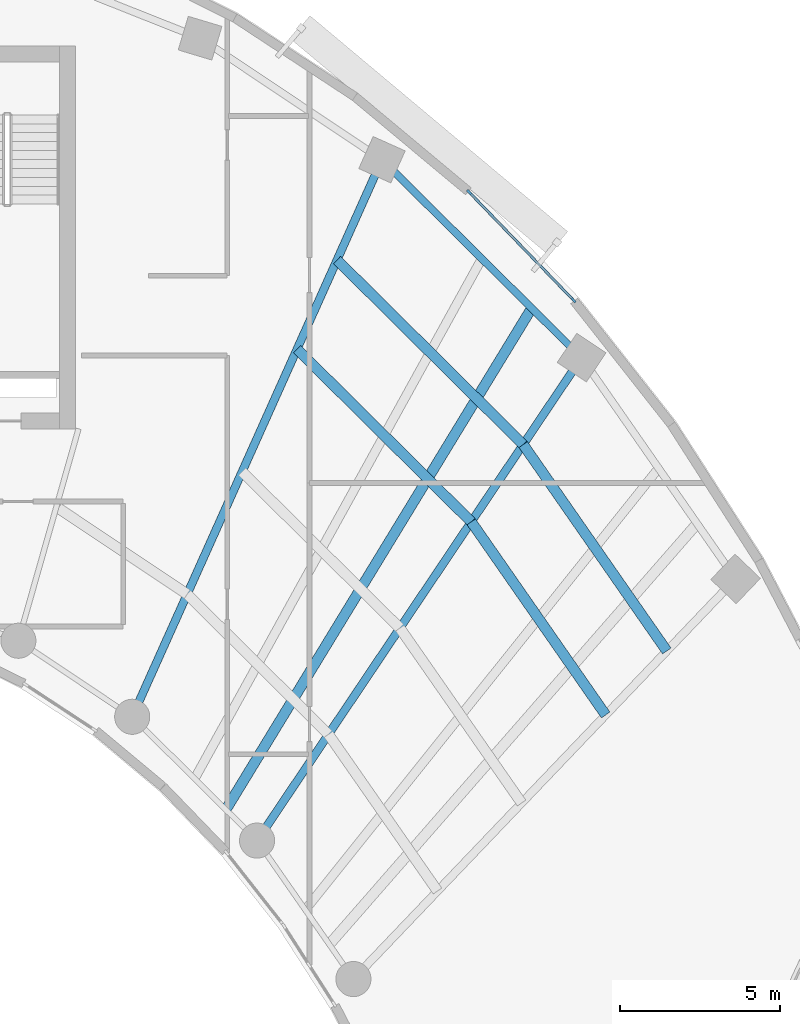
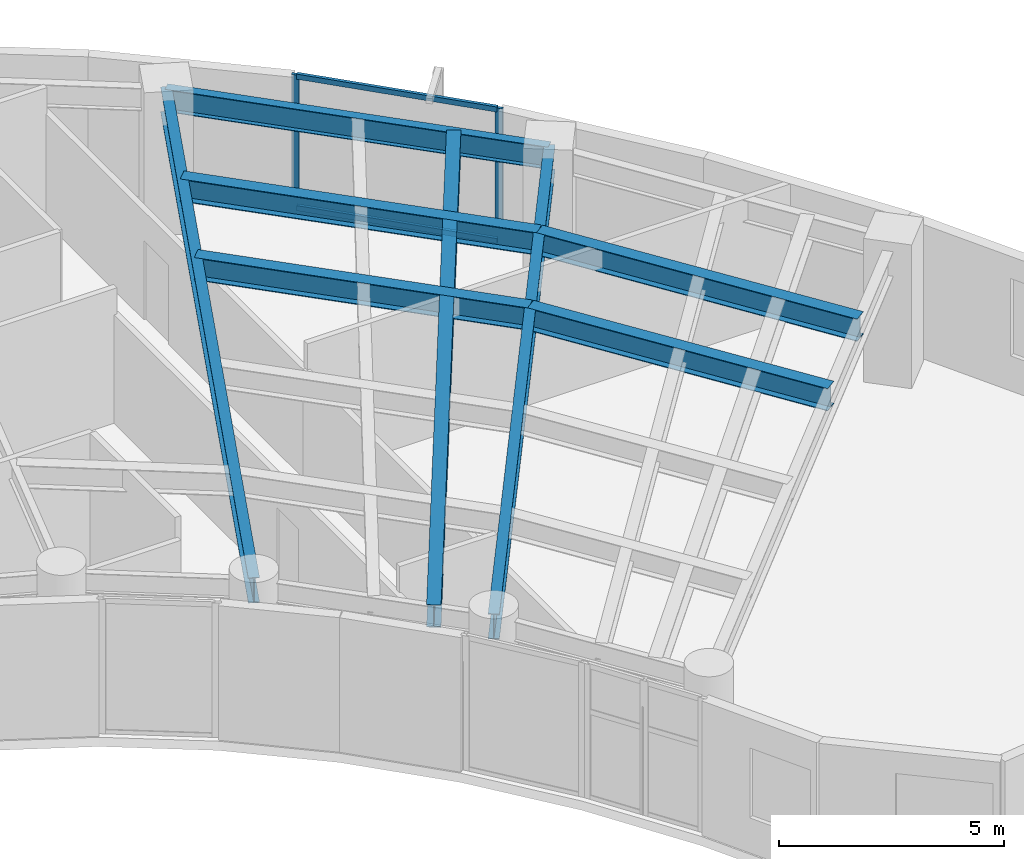
# One storey, part 4 of 12: 8 beams, 4 members, 1 element without a shape of its own.
"""IFC4 building model written with IfcOpenShell, lengths in metres."""

import ifcopenshell
import ifcopenshell.guid

model = None  # the IFC model being written
_history = None  # IfcOwnerHistory: only IFC2X3 demands one
_inside = {}  # id of a spatial element -> (the spatial element, [elements in it])
_under = {}  # id of a project, library or spatial element -> (it, [spatial elements below it])
_declared = {}  # id of a project -> (the project, [libraries it declares])
_typed = {}  # id of a type object -> (the type object, [elements of that type])
_made_of = {}  # id of a material, layer set ... -> (it, [elements and type objects made of it])


def new_model(schema):
    """Start an empty IFC model of exactly this schema.

    Asked for "IFC4X3", IfcOpenShell would pick the latest addendum, in which some entities
    have other attributes; the version numbers below select the first issue.
    IFC2X3 requires an IfcOwnerHistory on every rooted entity: one is made here for all.
    """
    global model, _history
    if schema == "IFC4X3":
        model = ifcopenshell.file(schema_version=(4, 3, 0, 0))
    else:
        model = ifcopenshell.file(schema=schema)
    _inside.clear()
    _under.clear()
    _declared.clear()
    _typed.clear()
    _made_of.clear()
    _history = None
    if model.schema == "IFC2X3":
        org = make("IfcOrganization", Name="unknown")
        user = make(
            "IfcPersonAndOrganization",
            ThePerson=make("IfcPerson", FamilyName="unknown"),
            TheOrganization=org,
        )
        app = make(
            "IfcApplication",
            ApplicationDeveloper=org,
            Version="unknown",
            ApplicationFullName="unknown",
            ApplicationIdentifier="unknown",
        )
        _history = make(
            "IfcOwnerHistory",
            OwningUser=user,
            OwningApplication=app,
            ChangeAction="ADDED",
            CreationDate=0,
        )
    return model


def make(cls, **values):
    """One entity of the class cls with the attributes given. An attribute that is None is left unset."""
    return model.create_entity(
        cls, **{name: value for name, value in values.items() if value is not None}
    )


def rooted(cls, **values):
    """An entity with a GlobalId (a new one), such as an element, a storey or a relation."""
    return make(cls, GlobalId=ifcopenshell.guid.new(), OwnerHistory=_history, **values)


def si_unit(unit_type, name, prefix=None):
    """IfcSIUnit, for example si_unit("LENGTHUNIT", "METRE", prefix="MILLI")."""
    return make("IfcSIUnit", UnitType=unit_type, Prefix=prefix, Name=name)


def assignment(units):
    """IfcUnitAssignment: the units of a project."""
    return None if units is None else make("IfcUnitAssignment", Units=units)


def point(xyz):
    """IfcCartesianPoint."""
    return None if xyz is None else make("IfcCartesianPoint", Coordinates=xyz)


def direction(xyz):
    """IfcDirection."""
    return None if xyz is None else make("IfcDirection", DirectionRatios=xyz)


def frame(location, z_axis=None, x_axis=None):
    """IfcAxis2Placement3D, a coordinate frame: its origin and axes. An axis left out is left unset."""
    return make(
        "IfcAxis2Placement3D",
        Location=point(location),
        Axis=direction(z_axis),
        RefDirection=direction(x_axis),
    )


def frame_2d(location, x_axis=None):
    """IfcAxis2Placement2D, a coordinate frame in the plane: its origin and x axis."""
    return make(
        "IfcAxis2Placement2D", Location=point(location), RefDirection=direction(x_axis)
    )


def origin():
    """The frame at (0, 0, 0) with its axes left unset."""
    return frame((0.0, 0.0, 0.0))


def origin_2d():
    """The frame at (0, 0) in the plane with its x axis left unset."""
    return frame_2d((0.0, 0.0))


def place(relative_to, where):
    """IfcLocalPlacement: puts the frame where relative to a parent placement (None: the world)."""
    return make(
        "IfcLocalPlacement", PlacementRelTo=relative_to, RelativePlacement=where
    )


def context(
    kind, dimensions, precision=None, world=None, true_north=None, identifier=None
):
    """IfcGeometricRepresentationContext, for example the 3D "Model" context."""
    return make(
        "IfcGeometricRepresentationContext",
        ContextIdentifier=identifier,
        ContextType=kind,
        CoordinateSpaceDimension=dimensions,
        Precision=precision,
        WorldCoordinateSystem=world,
        TrueNorth=true_north,
    )


def subcontext(parent, identifier, kind, view, scale=None):
    """IfcGeometricRepresentationSubContext, for example "Body" below "Model"."""
    return make(
        "IfcGeometricRepresentationSubContext",
        ContextIdentifier=identifier,
        ContextType=kind,
        ParentContext=parent,
        TargetScale=scale,
        TargetView=view,
    )


def project(units=None, contexts=None):
    """IfcProject with its units and contexts."""
    return rooted(
        "IfcProject",
        Name="project",
        RepresentationContexts=contexts,
        UnitsInContext=assignment(units),
    )


def spatial(cls, under=None, at=None, **own):
    """A site, building, storey or space (cls), placed at a placement, below another one or the project."""
    s = rooted(cls, ObjectPlacement=at, **own)
    if under is not None:
        _under.setdefault(under.id(), (under, []))[1].append(s)
    return s


def profile(cls, at=None, kind="AREA", **sizes):
    """A parametric profile (cls). Its sizes go by their IFC names, for example OverallWidth=200.0."""
    return make(cls, ProfileType=kind, Position=at, **sizes)


def rectangle(**sizes):
    """IfcRectangleProfileDef."""
    return profile("IfcRectangleProfileDef", **sizes)


def i_section(**sizes):
    """IfcIShapeProfileDef."""
    return profile("IfcIShapeProfileDef", **sizes)


def extrude(swept, where, along, depth):
    """IfcExtrudedAreaSolid: the profile swept, set in the frame where, extruded along a direction by depth."""
    return make(
        "IfcExtrudedAreaSolid",
        SweptArea=swept,
        Position=where,
        ExtrudedDirection=direction(along),
        Depth=depth,
    )


def shape(context_of_items, identifier, shape_type, items):
    """IfcShapeRepresentation: the items that make up one representation, for example the "Body"."""
    return make(
        "IfcShapeRepresentation",
        ContextOfItems=context_of_items,
        RepresentationIdentifier=identifier,
        RepresentationType=shape_type,
        Items=items,
    )


def source(mapping_origin, context_of_items, identifier, shape_type, items):
    """IfcRepresentationMap: a shape defined once, which mapped items show again and again."""
    return make(
        "IfcRepresentationMap",
        MappingOrigin=mapping_origin,
        MappedRepresentation=shape(context_of_items, identifier, shape_type, items),
    )


def transform(
    local_origin,
    x_axis=None,
    y_axis=None,
    z_axis=None,
    scale=None,
    scale2=None,
    scale3=None,
    uniform=True,
):
    """IfcCartesianTransformationOperator3D, or its non-uniform kind. x_axis, y_axis, z_axis: its Axis1, 2, 3."""
    if uniform:
        return make(
            "IfcCartesianTransformationOperator3D",
            Axis1=direction(x_axis),
            Axis2=direction(y_axis),
            LocalOrigin=point(local_origin),
            Scale=scale,
            Axis3=direction(z_axis),
        )
    return make(
        "IfcCartesianTransformationOperator3DnonUniform",
        Axis1=direction(x_axis),
        Axis2=direction(y_axis),
        LocalOrigin=point(local_origin),
        Scale=scale,
        Axis3=direction(z_axis),
        Scale2=scale2,
        Scale3=scale3,
    )


def mapped(mapping_source, mapping_target):
    """IfcMappedItem: shows the shape of a source again, moved by a transform."""
    return make(
        "IfcMappedItem", MappingSource=mapping_source, MappingTarget=mapping_target
    )


def material(Name=None, Category=None):
    """IfcMaterial."""
    return make("IfcMaterial", Name=Name, Category=Category)


def layer(
    of_material, thickness, ventilated=None, Name=None, Category=None, Priority=None
):
    """IfcMaterialLayer: one layer of a wall or slab, of a material (None: an air gap)."""
    return make(
        "IfcMaterialLayer",
        Material=of_material,
        LayerThickness=thickness,
        IsVentilated=ventilated,
        Name=Name,
        Category=Category,
        Priority=Priority,
    )


def layer_set(layers, Name=None):
    """IfcMaterialLayerSet."""
    return make("IfcMaterialLayerSet", MaterialLayers=layers, LayerSetName=Name)


def material_profile(
    of_material, cross_section, Name=None, Category=None, Priority=None
):
    """IfcMaterialProfile: a cross section and its material."""
    return make(
        "IfcMaterialProfile",
        Name=Name,
        Material=of_material,
        Profile=cross_section,
        Priority=Priority,
        Category=Category,
    )


def profile_set(profiles, Name=None, composite=None):
    """IfcMaterialProfileSet."""
    return make(
        "IfcMaterialProfileSet",
        Name=Name,
        MaterialProfiles=profiles,
        CompositeProfile=composite,
    )


def made_of(thing, what):
    """Note that an element or type object is made of a material, layer set ...; save() writes the relation."""
    if what is not None:
        _made_of.setdefault(what.id(), (what, []))[1].append(thing)
    return thing


def type_object(cls, material=None, **own):
    """A type object (cls), such as IfcWallType, which elements share."""
    return made_of(rooted(cls, **own), material)


def element(
    cls,
    number,
    at=None,
    inside=None,
    cuts=None,
    type_object=None,
    material=None,
    context=None,
    identifier="Body",
    shape_type=None,
    held_by="IfcProductDefinitionShape",
    body=None,
    shapes=None,
    **own,
):
    """One element of the class cls, such as IfcWall. Its Tag is "e" and its number.

    at: its placement. inside: the storey or other place that contains it. cuts: it is an
    opening in that element (IfcRelVoidsElement). A single representation is given by context,
    identifier, shape_type and body (its items); several are given by shapes. held_by: the class
    of the entity that holds the representations. save() writes the other relations.
    """
    e = rooted(cls, Tag="e%d" % number, ObjectPlacement=at, **own)
    if body is not None:
        shapes = [shape(context, identifier, shape_type, body)]
    if shapes is not None:
        e.Representation = make(held_by, Representations=shapes)
    if inside is not None:
        _inside.setdefault(inside.id(), (inside, []))[1].append(e)
    if cuts is not None:
        rooted(
            "IfcRelVoidsElement", RelatingBuildingElement=cuts, RelatedOpeningElement=e
        )
    if type_object is not None:
        _typed.setdefault(type_object.id(), (type_object, []))[1].append(e)
    return made_of(e, material)


def aggregate(whole, parts):
    """IfcRelAggregates: a whole, such as a stair, and the parts it consists of."""
    return rooted("IfcRelAggregates", RelatingObject=whole, RelatedObjects=parts)


def save(model, path):
    """Write the relations noted so far, then the file.

    IfcRelAggregates (storeys below a building ...), IfcRelContainedInSpatialStructure (elements
    in a storey), IfcRelDefinesByType, IfcRelAssociatesMaterial and IfcRelDeclares: one each for
    every whole, place, type object, material and project.
    """
    for whole, parts in _under.values():
        aggregate(whole, parts)
    for where, things in _inside.values():
        rooted(
            "IfcRelContainedInSpatialStructure",
            RelatedElements=things,
            RelatingStructure=where,
        )
    for kind, things in _typed.values():
        rooted("IfcRelDefinesByType", RelatedObjects=things, RelatingType=kind)
    for what, things in _made_of.values():
        rooted("IfcRelAssociatesMaterial", RelatedObjects=things, RelatingMaterial=what)
    for by, libraries in _declared.values():
        rooted("IfcRelDeclares", RelatingContext=by, RelatedDefinitions=libraries)
    model.write(path)


model = new_model("IFC4")

# Units and contexts
model_context = context("Model", 3, precision=1e-05, world=origin(), true_north=direction((0.0, 1.0)))
body_context = subcontext(model_context, "Body", "Model", "MODEL_VIEW")
ifc_project = project(units=[si_unit("LENGTHUNIT", "METRE"), si_unit("AREAUNIT", "SQUARE_METRE"), si_unit("VOLUMEUNIT", "CUBIC_METRE"), si_unit("PLANEANGLEUNIT", "RADIAN"), si_unit("MASSUNIT", "GRAM", prefix="KILO")], contexts=[model_context])

# Site, building, storey
site_placement = place(None, origin())
site = spatial("IfcSite", under=ifc_project, at=site_placement, CompositionType="ELEMENT")
building_placement = place(site_placement, origin())
building = spatial("IfcBuilding", under=site, at=building_placement, Name="Breltana Convention Tower", CompositionType="ELEMENT")
storey_placement = place(building_placement, frame((0.0, 0.0, 150.60009765625)))
storey = spatial("IfcBuildingStorey", under=building, at=storey_placement, Name="L36", CompositionType="ELEMENT", Elevation=150.60009765625)

# Beams
ifc_material_1 = material(Name="Steel ASTM A992 Grade 50", Category="steel")
ifc_material_profile_1 = material_profile(ifc_material_1, i_section(OverallWidth=0.25390625, OverallDepth=0.68798828125, WebThickness=0.01318359375, FlangeThickness=0.02099609375, at=origin_2d()), Name="W27X102")
ifc_profile_set_1 = profile_set([ifc_material_profile_1], Name="Steel ASTM A992 Grade 50")
beam_type_1 = type_object("IfcBeamType", Name="BM-RG-W27X102", PredefinedType="USERDEFINED", material=ifc_profile_set_1)
shared_shape_1 = source(origin(), body_context, "Body", "SweptSolid", [
    extrude(i_section(OverallWidth=0.25390625, OverallDepth=0.68798828125, WebThickness=0.01318359375, FlangeThickness=0.02099609375, at=origin_2d()), origin(), (0.0, 0.0, 1.0), 19.133544921875),
])
beam_1_placement = place(storey_placement, frame((61.08203125, 51.174560546875, 3.305908203125), z_axis=(0.409144564164, 0.912469575172, 0.0), x_axis=(-0.912469575172, 0.409144564164, 0.0)))
element("IfcBeam", 1, at=beam_1_placement, inside=storey, type_object=beam_type_1, Name="L36 Radial Floor Girder R09", ObjectType="GIRDER", PredefinedType="USERDEFINED", context=body_context, shape_type="MappedRepresentation", body=[
    mapped(shared_shape_1, transform((0.0, 0.0, 0.0), scale=1.0)),
])
shared_shape_2 = source(origin(), body_context, "Body", "SweptSolid", [
    extrude(i_section(OverallWidth=0.25390625, OverallDepth=0.68798828125, WebThickness=0.01318359375, FlangeThickness=0.02099609375, at=origin_2d()), origin(), (0.0, 0.0, 1.0), 18.236328125),
])
beam_2_placement = place(storey_placement, frame((64.995849609375, 47.293701171875, 3.305908203125), z_axis=(0.557730360975, 0.830022195153, 0.0), x_axis=(-0.830022195153, 0.557730360975, 0.0)))
element("IfcBeam", 2, at=beam_2_placement, inside=storey, type_object=beam_type_1, Name="L36 Radial Floor Girder R10", ObjectType="GIRDER", PredefinedType="USERDEFINED", context=body_context, shape_type="MappedRepresentation", body=[
    mapped(shared_shape_2, transform((0.0, 0.0, 0.0), scale=1.0)),
])
ifc_material_profile_2 = material_profile(ifc_material_1, i_section(OverallWidth=0.22802734375, OverallDepth=0.60791015625, WebThickness=0.01123046875, FlangeThickness=0.017333984375, at=origin_2d()), Name="W24X76")
ifc_profile_set_2 = profile_set([ifc_material_profile_2], Name="Steel ASTM A992 Grade 50")
beam_type_2 = type_object("IfcBeamType", Name="BM-SP-W24X76", PredefinedType="SPANDREL", material=ifc_profile_set_2)
shared_shape_3 = source(origin(), body_context, "Body", "SweptSolid", [
    extrude(i_section(OverallWidth=0.22802734375, OverallDepth=0.60791015625, WebThickness=0.01123046875, FlangeThickness=0.017333984375, at=origin_2d()), origin(), (0.0, 0.0, 1.0), 8.810302734375),
])
beam_3_placement = place(storey_placement, frame((68.910400390625, 68.63330078125, 3.345947265625), z_axis=(0.710120823582, -0.704079836322, 0.0), x_axis=(0.704079836322, 0.710120823582, 0.0)))
element("IfcBeam", 3, at=beam_3_placement, inside=storey, type_object=beam_type_2, Name="L36 Outer Spandrel Beam 09", PredefinedType="SPANDREL", context=body_context, shape_type="MappedRepresentation", body=[
    mapped(shared_shape_3, transform((0.0, 0.0, 0.0), scale=1.0)),
])
ifc_material_profile_3 = material_profile(ifc_material_1, i_section(OverallWidth=0.323974609375, OverallDepth=0.611083984375, WebThickness=0.0126953125, FlangeThickness=0.01904296875, at=origin_2d()), Name="W24X104")
ifc_profile_set_3 = profile_set([ifc_material_profile_3], Name="Steel ASTM A992 Grade 50")
beam_type_3 = type_object("IfcBeamType", Name="BM-JSG-01", PredefinedType="JOIST", material=ifc_profile_set_3)
shared_shape_4 = source(origin(), body_context, "Body", "SweptSolid", [
    extrude(i_section(OverallWidth=0.323974609375, OverallDepth=0.611083984375, WebThickness=0.0126953125, FlangeThickness=0.01904296875, at=origin_2d()), origin(), (0.0, 0.0, 1.0), 7.688720703125),
])
beam_4_placement = place(storey_placement, frame((66.248779296875, 62.697265625, 3.344482421875), z_axis=(0.710101109809, -0.704099718682, 0.0), x_axis=(0.704099718682, 0.710101109809, 0.0)))
element("IfcBeam", 4, at=beam_4_placement, inside=storey, type_object=beam_type_3, Name="L36 Composite Floor Joist 09.3", PredefinedType="JOIST", context=body_context, shape_type="MappedRepresentation", body=[
    mapped(shared_shape_4, transform((0.0, 0.0, 0.0), scale=1.0)),
])
shared_shape_5 = source(origin(), body_context, "Body", "SweptSolid", [
    extrude(i_section(OverallWidth=0.323974609375, OverallDepth=0.611083984375, WebThickness=0.0126953125, FlangeThickness=0.01904296875, at=origin_2d()), origin(), (0.0, 0.0, 1.0), 8.21630859375),
])
beam_5_placement = place(storey_placement, frame((67.50146484375, 65.49072265625, 3.344482421875), z_axis=(0.710101511063, -0.704099314008, 0.0), x_axis=(0.704099314008, 0.710101511063, 0.0)))
element("IfcBeam", 5, at=beam_5_placement, inside=storey, type_object=beam_type_3, Name="L36 Composite Floor Joist 09.4", PredefinedType="JOIST", context=body_context, shape_type="MappedRepresentation", body=[
    mapped(shared_shape_5, transform((0.0, 0.0, 0.0), scale=1.0)),
])
shared_shape_6 = source(origin(), body_context, "Body", "SweptSolid", [
    extrude(i_section(OverallWidth=0.323974609375, OverallDepth=0.611083984375, WebThickness=0.0126953125, FlangeThickness=0.01904296875, at=origin_2d()), origin(), (0.0, 0.0, 1.0), 18.409423828125),
])
beam_6_placement = place(storey_placement, frame((64.017333984375, 48.263916015625, 3.344482421875), z_axis=(0.520682167606, 0.853750596098, 0.0), x_axis=(-0.853750596098, 0.520682167606, 0.0)))
element("IfcBeam", 6, at=beam_6_placement, inside=storey, type_object=beam_type_3, Name="L36 Quarter-Bay Radial Trimmer 09", PredefinedType="JOIST", context=body_context, shape_type="MappedRepresentation", body=[
    mapped(shared_shape_6, transform((0.0, 0.0, 0.0), scale=1.0)),
])
shared_shape_7 = source(origin(), body_context, "Body", "SweptSolid", [
    extrude(i_section(OverallWidth=0.323974609375, OverallDepth=0.611083984375, WebThickness=0.0126953125, FlangeThickness=0.01904296875, at=origin_2d()), origin(), (0.0, 0.0, 1.0), 7.374267578125),
])
beam_7_placement = place(storey_placement, frame((71.70849609375, 57.28369140625, 3.344482421875), z_axis=(0.571229379406, -0.820790470281, 0.0), x_axis=(0.820790470281, 0.571229379406, 0.0)))
element("IfcBeam", 7, at=beam_7_placement, inside=storey, type_object=beam_type_3, Name="L36 Composite Floor Joist 10.3", PredefinedType="JOIST", context=body_context, shape_type="MappedRepresentation", body=[
    mapped(shared_shape_7, transform((0.0, 0.0, 0.0), scale=1.0)),
])
shared_shape_8 = source(origin(), body_context, "Body", "SweptSolid", [
    extrude(i_section(OverallWidth=0.323974609375, OverallDepth=0.611083984375, WebThickness=0.0126953125, FlangeThickness=0.01904296875, at=origin_2d()), origin(), (0.0, 0.0, 1.0), 7.88037109375),
])
beam_8_placement = place(storey_placement, frame((73.3359375, 59.70556640625, 3.344482421875), z_axis=(0.571197916304, -0.820812366141, 0.0), x_axis=(0.820812366141, 0.571197916304, 0.0)))
element("IfcBeam", 8, at=beam_8_placement, inside=storey, type_object=beam_type_3, Name="L36 Composite Floor Joist 10.4", PredefinedType="JOIST", context=body_context, shape_type="MappedRepresentation", body=[
    mapped(shared_shape_8, transform((0.0, 0.0, 0.0), scale=1.0)),
])

# Curtain wall, members
ifc_material_2 = material(Name="Aluminium Anodised Bronze Frame", Category="aluminium")
ifc_layer = layer(ifc_material_2, 0.2099609375, Name="Aluminium Anodised Bronze Frame")
ifc_layer_set = layer_set([ifc_layer], Name="Aluminium Anodised Bronze Frame")
curtain_wall_type = type_object("IfcCurtainWallType", Name="CW-SYS-3", PredefinedType="NOTDEFINED", material=ifc_layer_set)
curtain_wall_placement = place(storey_placement, origin())
curtain_wall = element("IfcCurtainWall", 9, at=curtain_wall_placement, inside=storey, type_object=curtain_wall_type, Name="L36 outer double-skin inner glazing 4", PredefinedType="NOTDEFINED")
ifc_material_3 = material(Name="Aluminium Anodised Bronze", Category="aluminium")
ifc_material_profile_4 = material_profile(ifc_material_3, rectangle(XDim=0.070068359375, YDim=0.175048828125, at=origin_2d()), Name="CWM-70X175")
ifc_profile_set_4 = profile_set([ifc_material_profile_4], Name="Aluminium Anodised Bronze")
member_type_1 = type_object("IfcMemberType", Name="CWM-175", PredefinedType="MULLION", material=ifc_profile_set_4)
shared_shape_9 = source(origin(), body_context, "Body", "SweptSolid", [
    extrude(rectangle(XDim=0.070068359375, YDim=0.175048828125, at=origin_2d()), origin(), (0.0, 0.0, 1.0), 3.64990234375),
])
member_1_placement = place(storey_placement, frame((71.643310546875, 67.616943359375, 0.0), z_axis=(0.0, 0.0, 1.0), x_axis=(0.719393523398, 0.694602734297, 0.0)))
member_1 = element("IfcMember", 10, at=member_1_placement, type_object=member_type_1, Name="CW-03 mullion 1", PredefinedType="MULLION", context=body_context, shape_type="MappedRepresentation", body=[
    mapped(shared_shape_9, transform((0.0, 0.0, 0.0), scale=1.0)),
])
member_2_placement = place(storey_placement, frame((74.912109375, 64.2314453125, 0.0), z_axis=(0.0, 0.0, 1.0), x_axis=(0.719393523398, 0.694602734297, 0.0)))
member_2 = element("IfcMember", 11, at=member_2_placement, type_object=member_type_1, Name="CW-03 mullion 2", PredefinedType="MULLION", context=body_context, shape_type="MappedRepresentation", body=[
    mapped(shared_shape_9, transform((0.0, 0.0, 0.0), scale=1.0)),
])
ifc_material_profile_5 = material_profile(ifc_material_3, rectangle(XDim=0.080078125, YDim=0.139892578125, at=origin_2d()), Name="CWT-80X140")
ifc_profile_set_5 = profile_set([ifc_material_profile_5], Name="Aluminium Anodised Bronze")
member_type_2 = type_object("IfcMemberType", Name="CWT-140", PredefinedType="USERDEFINED", material=ifc_profile_set_5)
shared_shape_10 = source(origin(), body_context, "Body", "SweptSolid", [
    extrude(rectangle(XDim=0.080078125, YDim=0.139892578125, at=origin_2d()), origin(), (0.0, 0.0, 1.0), 4.635986328125),
])
member_3_placement = place(storey_placement, frame((71.667724609375, 67.591796875, 0.039794921875), z_axis=(0.694569137919, -0.719425960506, 0.0), x_axis=(0.719425960506, 0.694569137919, 0.0)))
member_3 = element("IfcMember", 12, at=member_3_placement, type_object=member_type_2, Name="CW-03 transom 1.1", ObjectType="TRANSOM", PredefinedType="USERDEFINED", context=body_context, shape_type="MappedRepresentation", body=[
    mapped(shared_shape_10, transform((0.0, 0.0, 0.0), scale=1.0)),
])
member_4_placement = place(storey_placement, frame((71.667724609375, 67.591796875, 3.60986328125), z_axis=(0.694569137919, -0.719425960506, 0.0), x_axis=(0.719425960506, 0.694569137919, 0.0)))
member_4 = element("IfcMember", 13, at=member_4_placement, type_object=member_type_2, Name="CW-03 transom 1.2", ObjectType="TRANSOM", PredefinedType="USERDEFINED", context=body_context, shape_type="MappedRepresentation", body=[
    mapped(shared_shape_10, transform((0.0, 0.0, 0.0), scale=1.0)),
])
aggregate(curtain_wall, [member_1, member_2, member_3, member_4])

save(model, "model.ifc")
